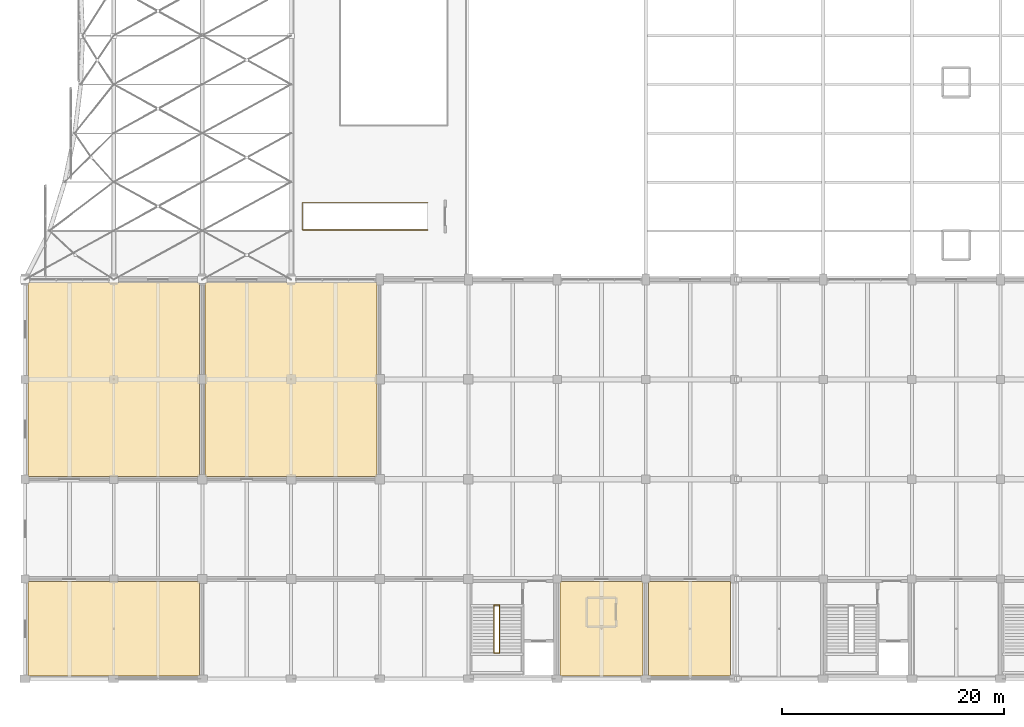
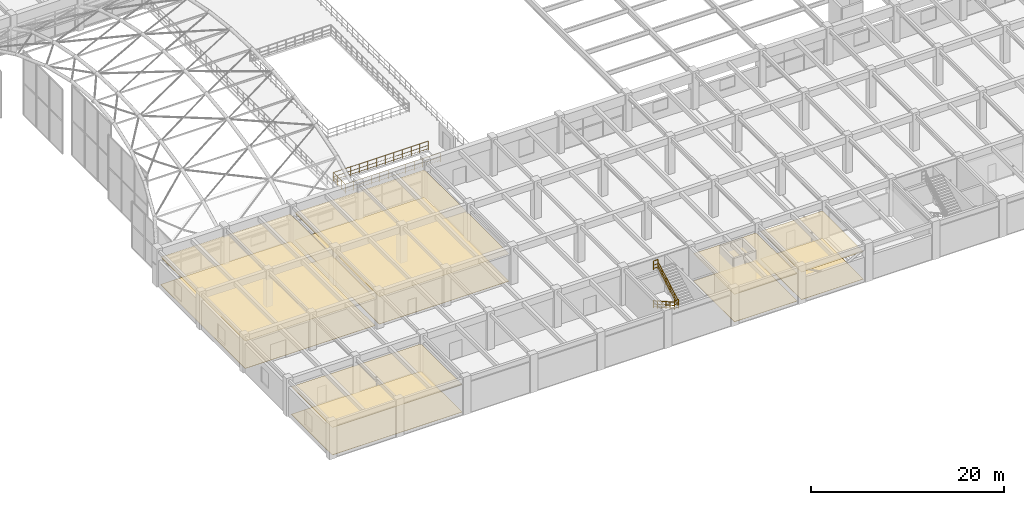
# One storey, part 135 of 144: 10 coverings, 5 railings.
"""IFC4 building model written with IfcOpenShell, lengths in metres."""

import ifcopenshell
import ifcopenshell.guid

model = None  # the IFC model being written
_history = None  # IfcOwnerHistory: only IFC2X3 demands one
_inside = {}  # id of a spatial element -> (the spatial element, [elements in it])
_under = {}  # id of a project, library or spatial element -> (it, [spatial elements below it])
_declared = {}  # id of a project -> (the project, [libraries it declares])
_typed = {}  # id of a type object -> (the type object, [elements of that type])
_made_of = {}  # id of a material, layer set ... -> (it, [elements and type objects made of it])


def new_model(schema):
    """Start an empty IFC model of exactly this schema.

    Asked for "IFC4X3", IfcOpenShell would pick the latest addendum, in which some entities
    have other attributes; the version numbers below select the first issue.
    IFC2X3 requires an IfcOwnerHistory on every rooted entity: one is made here for all.
    """
    global model, _history
    if schema == "IFC4X3":
        model = ifcopenshell.file(schema_version=(4, 3, 0, 0))
    else:
        model = ifcopenshell.file(schema=schema)
    _inside.clear()
    _under.clear()
    _declared.clear()
    _typed.clear()
    _made_of.clear()
    _history = None
    if model.schema == "IFC2X3":
        org = make("IfcOrganization", Name="unknown")
        user = make(
            "IfcPersonAndOrganization",
            ThePerson=make("IfcPerson", FamilyName="unknown"),
            TheOrganization=org,
        )
        app = make(
            "IfcApplication",
            ApplicationDeveloper=org,
            Version="unknown",
            ApplicationFullName="unknown",
            ApplicationIdentifier="unknown",
        )
        _history = make(
            "IfcOwnerHistory",
            OwningUser=user,
            OwningApplication=app,
            ChangeAction="ADDED",
            CreationDate=0,
        )
    return model


def make(cls, **values):
    """One entity of the class cls with the attributes given. An attribute that is None is left unset."""
    return model.create_entity(
        cls, **{name: value for name, value in values.items() if value is not None}
    )


def rooted(cls, **values):
    """An entity with a GlobalId (a new one), such as an element, a storey or a relation."""
    return make(cls, GlobalId=ifcopenshell.guid.new(), OwnerHistory=_history, **values)


def si_unit(unit_type, name, prefix=None):
    """IfcSIUnit, for example si_unit("LENGTHUNIT", "METRE", prefix="MILLI")."""
    return make("IfcSIUnit", UnitType=unit_type, Prefix=prefix, Name=name)


def assignment(units):
    """IfcUnitAssignment: the units of a project."""
    return None if units is None else make("IfcUnitAssignment", Units=units)


def point(xyz):
    """IfcCartesianPoint."""
    return None if xyz is None else make("IfcCartesianPoint", Coordinates=xyz)


def direction(xyz):
    """IfcDirection."""
    return None if xyz is None else make("IfcDirection", DirectionRatios=xyz)


def frame(location, z_axis=None, x_axis=None):
    """IfcAxis2Placement3D, a coordinate frame: its origin and axes. An axis left out is left unset."""
    return make(
        "IfcAxis2Placement3D",
        Location=point(location),
        Axis=direction(z_axis),
        RefDirection=direction(x_axis),
    )


def frame_2d(location, x_axis=None):
    """IfcAxis2Placement2D, a coordinate frame in the plane: its origin and x axis."""
    return make(
        "IfcAxis2Placement2D", Location=point(location), RefDirection=direction(x_axis)
    )


def origin():
    """The frame at (0, 0, 0) with its axes left unset."""
    return frame((0.0, 0.0, 0.0))


def origin_2d():
    """The frame at (0, 0) in the plane with its x axis left unset."""
    return frame_2d((0.0, 0.0))


def place(relative_to, where):
    """IfcLocalPlacement: puts the frame where relative to a parent placement (None: the world)."""
    return make(
        "IfcLocalPlacement", PlacementRelTo=relative_to, RelativePlacement=where
    )


def context(
    kind, dimensions, precision=None, world=None, true_north=None, identifier=None
):
    """IfcGeometricRepresentationContext, for example the 3D "Model" context."""
    return make(
        "IfcGeometricRepresentationContext",
        ContextIdentifier=identifier,
        ContextType=kind,
        CoordinateSpaceDimension=dimensions,
        Precision=precision,
        WorldCoordinateSystem=world,
        TrueNorth=true_north,
    )


def subcontext(parent, identifier, kind, view, scale=None):
    """IfcGeometricRepresentationSubContext, for example "Body" below "Model"."""
    return make(
        "IfcGeometricRepresentationSubContext",
        ContextIdentifier=identifier,
        ContextType=kind,
        ParentContext=parent,
        TargetScale=scale,
        TargetView=view,
    )


def project(units=None, contexts=None):
    """IfcProject with its units and contexts."""
    return rooted(
        "IfcProject",
        Name="project",
        RepresentationContexts=contexts,
        UnitsInContext=assignment(units),
    )


def spatial(cls, under=None, at=None, **own):
    """A site, building, storey or space (cls), placed at a placement, below another one or the project."""
    s = rooted(cls, ObjectPlacement=at, **own)
    if under is not None:
        _under.setdefault(under.id(), (under, []))[1].append(s)
    return s


def polyline(points):
    """IfcPolyline through the points."""
    return make("IfcPolyline", Points=[point(p) for p in points])


def profile(cls, at=None, kind="AREA", **sizes):
    """A parametric profile (cls). Its sizes go by their IFC names, for example OverallWidth=200.0."""
    return make(cls, ProfileType=kind, Position=at, **sizes)


def circle(**sizes):
    """IfcCircleProfileDef."""
    return profile("IfcCircleProfileDef", **sizes)


def outline(outer, holes=None, kind="AREA"):
    """IfcArbitraryClosedProfileDef: a profile drawn as a closed curve; with holes, ...WithVoids."""
    if holes is None:
        return make("IfcArbitraryClosedProfileDef", ProfileType=kind, OuterCurve=outer)
    return make(
        "IfcArbitraryProfileDefWithVoids",
        ProfileType=kind,
        OuterCurve=outer,
        InnerCurves=holes,
    )


def extrude(swept, where, along, depth):
    """IfcExtrudedAreaSolid: the profile swept, set in the frame where, extruded along a direction by depth."""
    return make(
        "IfcExtrudedAreaSolid",
        SweptArea=swept,
        Position=where,
        ExtrudedDirection=direction(along),
        Depth=depth,
    )


def shape(context_of_items, identifier, shape_type, items):
    """IfcShapeRepresentation: the items that make up one representation, for example the "Body"."""
    return make(
        "IfcShapeRepresentation",
        ContextOfItems=context_of_items,
        RepresentationIdentifier=identifier,
        RepresentationType=shape_type,
        Items=items,
    )


def material(Name=None, Category=None):
    """IfcMaterial."""
    return make("IfcMaterial", Name=Name, Category=Category)


def layer(
    of_material, thickness, ventilated=None, Name=None, Category=None, Priority=None
):
    """IfcMaterialLayer: one layer of a wall or slab, of a material (None: an air gap)."""
    return make(
        "IfcMaterialLayer",
        Material=of_material,
        LayerThickness=thickness,
        IsVentilated=ventilated,
        Name=Name,
        Category=Category,
        Priority=Priority,
    )


def layer_set(layers, Name=None):
    """IfcMaterialLayerSet."""
    return make("IfcMaterialLayerSet", MaterialLayers=layers, LayerSetName=Name)


def made_of(thing, what):
    """Note that an element or type object is made of a material, layer set ...; save() writes the relation."""
    if what is not None:
        _made_of.setdefault(what.id(), (what, []))[1].append(thing)
    return thing


def type_object(cls, material=None, **own):
    """A type object (cls), such as IfcWallType, which elements share."""
    return made_of(rooted(cls, **own), material)


def element(
    cls,
    number,
    at=None,
    inside=None,
    cuts=None,
    type_object=None,
    material=None,
    context=None,
    identifier="Body",
    shape_type=None,
    held_by="IfcProductDefinitionShape",
    body=None,
    shapes=None,
    **own,
):
    """One element of the class cls, such as IfcWall. Its Tag is "e" and its number.

    at: its placement. inside: the storey or other place that contains it. cuts: it is an
    opening in that element (IfcRelVoidsElement). A single representation is given by context,
    identifier, shape_type and body (its items); several are given by shapes. held_by: the class
    of the entity that holds the representations. save() writes the other relations.
    """
    e = rooted(cls, Tag="e%d" % number, ObjectPlacement=at, **own)
    if body is not None:
        shapes = [shape(context, identifier, shape_type, body)]
    if shapes is not None:
        e.Representation = make(held_by, Representations=shapes)
    if inside is not None:
        _inside.setdefault(inside.id(), (inside, []))[1].append(e)
    if cuts is not None:
        rooted(
            "IfcRelVoidsElement", RelatingBuildingElement=cuts, RelatedOpeningElement=e
        )
    if type_object is not None:
        _typed.setdefault(type_object.id(), (type_object, []))[1].append(e)
    return made_of(e, material)


def aggregate(whole, parts):
    """IfcRelAggregates: a whole, such as a stair, and the parts it consists of."""
    return rooted("IfcRelAggregates", RelatingObject=whole, RelatedObjects=parts)


def save(model, path):
    """Write the relations noted so far, then the file.

    IfcRelAggregates (storeys below a building ...), IfcRelContainedInSpatialStructure (elements
    in a storey), IfcRelDefinesByType, IfcRelAssociatesMaterial and IfcRelDeclares: one each for
    every whole, place, type object, material and project.
    """
    for whole, parts in _under.values():
        aggregate(whole, parts)
    for where, things in _inside.values():
        rooted(
            "IfcRelContainedInSpatialStructure",
            RelatedElements=things,
            RelatingStructure=where,
        )
    for kind, things in _typed.values():
        rooted("IfcRelDefinesByType", RelatedObjects=things, RelatingType=kind)
    for what, things in _made_of.values():
        rooted("IfcRelAssociatesMaterial", RelatedObjects=things, RelatingMaterial=what)
    for by, libraries in _declared.values():
        rooted("IfcRelDeclares", RelatingContext=by, RelatedDefinitions=libraries)
    model.write(path)


model = new_model("IFC4")

# Units and contexts
model_context = context("Model", 3, precision=1e-05, world=origin(), true_north=direction((0.0, 1.0)))
body_context = subcontext(model_context, "Body", "Model", "MODEL_VIEW")
ifc_project = project(units=[si_unit("LENGTHUNIT", "METRE"), si_unit("AREAUNIT", "SQUARE_METRE"), si_unit("VOLUMEUNIT", "CUBIC_METRE"), si_unit("PLANEANGLEUNIT", "RADIAN"), si_unit("MASSUNIT", "GRAM", prefix="KILO")], contexts=[model_context])

# Site, building, storey
site_placement = place(None, origin())
site = spatial("IfcSite", under=ifc_project, at=site_placement, CompositionType="ELEMENT")
building_placement = place(site_placement, origin())
building = spatial("IfcBuilding", under=site, at=building_placement, Name="Varnabhumi Central Station", CompositionType="ELEMENT")
storey_placement = place(building_placement, frame((0.0, 0.0, 4.800048828125)))
storey = spatial("IfcBuildingStorey", under=building, at=storey_placement, Name="L01", CompositionType="ELEMENT", Elevation=4.800048828125)

# Coverings
ifc_material_1 = material(Name="Mineral-fibre acoustic tile")
ifc_layer_1 = layer(ifc_material_1, 0.02490234375, Name="Mineral-fibre acoustic tile")
ifc_layer_set_1 = layer_set([ifc_layer_1], Name="Mineral-fibre acoustic tile")
covering_type_1 = type_object("IfcCoveringType", Name="COV-CEIL-ACOUSTIC", PredefinedType="CEILING", material=ifc_layer_set_1)
covering_1_placement = place(storey_placement, frame((0.0, 0.0, 3.469970703125)))
element("IfcCovering", 1, at=covering_1_placement, inside=storey, type_object=covering_type_1, Name="Forecourt Overlook Transit Lounge Acoustic Ceiling", PredefinedType="CEILING", context=body_context, shape_type="SweptSolid", body=[
    extrude(outline(polyline([(0.25, 18.25), (15.75, 18.25), (15.75, 35.75), (0.25, 35.75), (0.25, 18.25)])), origin(), (0.0, 0.0, 1.0), 0.02490234375),
])
covering_2_placement = place(storey_placement, frame((0.0, 0.0, 3.469970703125)))
element("IfcCovering", 2, at=covering_2_placement, inside=storey, type_object=covering_type_1, Name="Station Signage and Maintenance Store Acoustic Ceiling", PredefinedType="CEILING", context=body_context, shape_type="SweptSolid", body=[
    extrude(outline(polyline([(0.25, 0.25), (15.75, 0.25), (15.75, 8.75), (0.25, 8.75), (0.25, 0.25)])), origin(), (0.0, 0.0, 1.0), 0.02490234375),
])
covering_3_placement = place(storey_placement, frame((0.0, 0.0, 3.469970703125)))
element("IfcCovering", 3, at=covering_3_placement, inside=storey, type_object=covering_type_1, Name="Booking Accounts and Cash Office Acoustic Ceiling", PredefinedType="CEILING", context=body_context, shape_type="SweptSolid", body=[
    extrude(outline(polyline([(16.25, 18.25), (31.75, 18.25), (31.75, 35.75), (16.25, 35.75), (16.25, 18.25)])), origin(), (0.0, 0.0, 1.0), 0.02490234375),
])
covering_4_placement = place(storey_placement, frame((0.0, 0.0, 3.469970703125)))
element("IfcCovering", 4, at=covering_4_placement, inside=storey, type_object=covering_type_1, Name="Ticketing Network Server Room Acoustic Ceiling", PredefinedType="CEILING", context=body_context, shape_type="SweptSolid", body=[
    extrude(outline(polyline([(48.25, 0.25), (55.75, 0.25), (55.75, 8.75), (48.25, 8.75), (48.25, 0.25)])), origin(), (0.0, 0.0, 1.0), 0.02490234375),
])
covering_5_placement = place(storey_placement, frame((0.0, 0.0, 3.469970703125)))
element("IfcCovering", 5, at=covering_5_placement, inside=storey, type_object=covering_type_1, Name="Parcel Dispatch Records Office Acoustic Ceiling", PredefinedType="CEILING", context=body_context, shape_type="SweptSolid", body=[
    extrude(outline(polyline([(56.25, 0.25), (63.64990234375, 0.25), (63.64990234375, 8.75), (56.25, 8.75), (56.25, 0.25)])), origin(), (0.0, 0.0, 1.0), 0.02490234375),
])
ifc_material_2 = material(Name="Vitrified granite stone flooring", Category="masonry")
ifc_layer_2 = layer(ifc_material_2, 0.030029296875, Name="Vitrified granite stone flooring", Category="masonry")
ifc_layer_set_2 = layer_set([ifc_layer_2], Name="Vitrified granite stone flooring")
covering_type_2 = type_object("IfcCoveringType", Name="COV-FLOR-GRANITE", PredefinedType="FLOORING", material=ifc_layer_set_2)
covering_6_placement = place(storey_placement, origin())
element("IfcCovering", 6, at=covering_6_placement, inside=storey, type_object=covering_type_2, Name="Forecourt Overlook Transit Lounge Granite Flooring", PredefinedType="FLOORING", context=body_context, shape_type="SweptSolid", body=[
    extrude(outline(polyline([(0.25, 18.25), (15.75, 18.25), (15.75, 35.75), (0.25, 35.75), (0.25, 18.25)])), origin(), (0.0, 0.0, 1.0), 0.030029296875),
])
covering_7_placement = place(storey_placement, origin())
element("IfcCovering", 7, at=covering_7_placement, inside=storey, type_object=covering_type_2, Name="Station Signage and Maintenance Store Granite Flooring", PredefinedType="FLOORING", context=body_context, shape_type="SweptSolid", body=[
    extrude(outline(polyline([(0.25, 0.25), (15.75, 0.25), (15.75, 8.75), (0.25, 8.75), (0.25, 0.25)])), origin(), (0.0, 0.0, 1.0), 0.030029296875),
])
covering_8_placement = place(storey_placement, origin())
element("IfcCovering", 8, at=covering_8_placement, inside=storey, type_object=covering_type_2, Name="Booking Accounts and Cash Office Granite Flooring", PredefinedType="FLOORING", context=body_context, shape_type="SweptSolid", body=[
    extrude(outline(polyline([(16.25, 18.25), (31.75, 18.25), (31.75, 35.75), (16.25, 35.75), (16.25, 18.25)])), origin(), (0.0, 0.0, 1.0), 0.030029296875),
])
covering_9_placement = place(storey_placement, origin())
element("IfcCovering", 9, at=covering_9_placement, inside=storey, type_object=covering_type_2, Name="Ticketing Network Server Room Granite Flooring", PredefinedType="FLOORING", context=body_context, shape_type="SweptSolid", body=[
    extrude(outline(polyline([(48.25, 0.25), (55.75, 0.25), (55.75, 8.75), (48.25, 8.75), (48.25, 0.25)])), origin(), (0.0, 0.0, 1.0), 0.030029296875),
])
covering_10_placement = place(storey_placement, origin())
element("IfcCovering", 10, at=covering_10_placement, inside=storey, type_object=covering_type_2, Name="Parcel Dispatch Records Office Granite Flooring", PredefinedType="FLOORING", context=body_context, shape_type="SweptSolid", body=[
    extrude(outline(polyline([(56.25, 0.25), (63.64990234375, 0.25), (63.64990234375, 8.75), (56.25, 8.75), (56.25, 0.25)])), origin(), (0.0, 0.0, 1.0), 0.030029296875),
])

# Railings
ifc_material_3 = material(Name="Stainless steel Grade 316", Category="steel")
railing_type_1 = type_object("IfcRailingType", Name="RAIL-STAIR-GRD-1150", PredefinedType="GUARDRAIL", material=ifc_material_3)
for number, where, name in (
    (11, (42.300048828125, 2.324951171875, 2.39990234375), "ST-S1 L01 Half-Landing Well Guard"),
    (12, (42.300048828125, 6.639892578125, 4.800048828125), "ST-S1 L01 Arrival Slot Guard"),
):
    element("IfcRailing", number, at=place(storey_placement, frame(where)), inside=storey, type_object=railing_type_1, Name=name, PredefinedType="GUARDRAIL", context=body_context, shape_type="SweptSolid", body=[
        extrude(circle(Radius=0.02392578125, at=origin_2d()), frame((0.0, 0.0, 1.1259765625), z_axis=(1.0, 0.0, 0.0), x_axis=(0.0, 1.0, 0.0)), (0.0, 0.0, 1.0), 0.5),
        extrude(circle(Radius=0.01416015625, at=origin_2d()), frame((0.0, 0.0, 0.597900390625), z_axis=(1.0, 0.0, 0.0), x_axis=(0.0, 1.0, 0.0)), (0.0, 0.0, 1.0), 0.5),
        extrude(circle(Radius=0.01416015625, at=origin_2d()), frame((0.0, 0.0, 0.18408203125), z_axis=(1.0, 0.0, 0.0), x_axis=(0.0, 1.0, 0.0)), (0.0, 0.0, 1.0), 0.5),
        extrude(circle(Radius=0.02099609375, at=origin_2d()), origin(), (0.0, 0.0, 1.0), 1.101806640625),
        extrude(circle(Radius=0.02099609375, at=origin_2d()), frame((0.5, 0.0, 0.0)), (0.0, 0.0, 1.0), 1.101806640625),
    ])
railing_1_placement = place(storey_placement, frame((36.35009765625, 40.47998046875, 0.0)))
element("IfcRailing", 13, at=railing_1_placement, inside=storey, type_object=railing_type_1, Name="L01 Mezzanine Stair Well Guard", PredefinedType="GUARDRAIL", context=body_context, shape_type="SweptSolid", body=[
    extrude(circle(Radius=0.02392578125, at=origin_2d()), frame((0.0, 0.0, 1.1259765625), z_axis=(-1.0, 0.0, 0.0), x_axis=(0.0, -1.0, 0.0)), (0.0, 0.0, 1.0), 11.330078125),
    extrude(circle(Radius=0.01416015625, at=origin_2d()), frame((0.0, 0.0, 0.597900390625), z_axis=(-1.0, 0.0, 0.0), x_axis=(0.0, -1.0, 0.0)), (0.0, 0.0, 1.0), 11.330078125),
    extrude(circle(Radius=0.01416015625, at=origin_2d()), frame((0.0, 0.0, 0.18408203125), z_axis=(-1.0, 0.0, 0.0), x_axis=(0.0, -1.0, 0.0)), (0.0, 0.0, 1.0), 11.330078125),
    extrude(circle(Radius=0.02392578125, at=origin_2d()), frame((-11.330078125, 0.0, 1.1259765625), z_axis=(0.0, 1.0, 0.0), x_axis=(-1.0, 0.0, 0.0)), (0.0, 0.0, 1.0), 2.43994140625),
    extrude(circle(Radius=0.01416015625, at=origin_2d()), frame((-11.330078125, 0.0, 0.597900390625), z_axis=(0.0, 1.0, 0.0), x_axis=(-1.0, 0.0, 0.0)), (0.0, 0.0, 1.0), 2.43994140625),
    extrude(circle(Radius=0.01416015625, at=origin_2d()), frame((-11.330078125, 0.0, 0.18408203125), z_axis=(0.0, 1.0, 0.0), x_axis=(-1.0, 0.0, 0.0)), (0.0, 0.0, 1.0), 2.43994140625),
    extrude(circle(Radius=0.02392578125, at=origin_2d()), frame((-11.330078125, 2.43994140625, 1.1259765625), z_axis=(1.0, 0.0, 0.0), x_axis=(0.0, 1.0, 0.0)), (0.0, 0.0, 1.0), 11.330078125),
    extrude(circle(Radius=0.01416015625, at=origin_2d()), frame((-11.330078125, 2.43994140625, 0.597900390625), z_axis=(1.0, 0.0, 0.0), x_axis=(0.0, 1.0, 0.0)), (0.0, 0.0, 1.0), 11.330078125),
    extrude(circle(Radius=0.01416015625, at=origin_2d()), frame((-11.330078125, 2.43994140625, 0.18408203125), z_axis=(1.0, 0.0, 0.0), x_axis=(0.0, 1.0, 0.0)), (0.0, 0.0, 1.0), 11.330078125),
    extrude(circle(Radius=0.02099609375, at=origin_2d()), origin(), (0.0, 0.0, 1.0), 1.101806640625),
    extrude(circle(Radius=0.02099609375, at=origin_2d()), frame((-1.030029296875, 0.0, 0.0)), (0.0, 0.0, 1.0), 1.101806640625),
    extrude(circle(Radius=0.02099609375, at=origin_2d()), frame((-2.06005859375, 0.0, 0.0)), (0.0, 0.0, 1.0), 1.101806640625),
    extrude(circle(Radius=0.02099609375, at=origin_2d()), frame((-3.090087890625, 0.0, 0.0)), (0.0, 0.0, 1.0), 1.101806640625),
    extrude(circle(Radius=0.02099609375, at=origin_2d()), frame((-4.1201171875, 0.0, 0.0)), (0.0, 0.0, 1.0), 1.101806640625),
    extrude(circle(Radius=0.02099609375, at=origin_2d()), frame((-5.150146484375, 0.0, 0.0)), (0.0, 0.0, 1.0), 1.101806640625),
    extrude(circle(Radius=0.02099609375, at=origin_2d()), frame((-6.179931640625, 0.0, 0.0)), (0.0, 0.0, 1.0), 1.101806640625),
    extrude(circle(Radius=0.02099609375, at=origin_2d()), frame((-7.2099609375, 0.0, 0.0)), (0.0, 0.0, 1.0), 1.101806640625),
    extrude(circle(Radius=0.02099609375, at=origin_2d()), frame((-8.239990234375, 0.0, 0.0)), (0.0, 0.0, 1.0), 1.101806640625),
    extrude(circle(Radius=0.02099609375, at=origin_2d()), frame((-9.27001953125, 0.0, 0.0)), (0.0, 0.0, 1.0), 1.101806640625),
    extrude(circle(Radius=0.02099609375, at=origin_2d()), frame((-10.300048828125, 0.0, 0.0)), (0.0, 0.0, 1.0), 1.101806640625),
    extrude(circle(Radius=0.02099609375, at=origin_2d()), frame((-11.330078125, 0.0, 0.0)), (0.0, 0.0, 1.0), 1.101806640625),
    extrude(circle(Radius=0.02099609375, at=origin_2d()), frame((-11.330078125, 0.813232421875, 0.0)), (0.0, 0.0, 1.0), 1.101806640625),
    extrude(circle(Radius=0.02099609375, at=origin_2d()), frame((-11.330078125, 1.626708984375, 0.0)), (0.0, 0.0, 1.0), 1.101806640625),
    extrude(circle(Radius=0.02099609375, at=origin_2d()), frame((-11.330078125, 2.43994140625, 0.0)), (0.0, 0.0, 1.0), 1.101806640625),
    extrude(circle(Radius=0.02099609375, at=origin_2d()), frame((-10.300048828125, 2.43994140625, 0.0)), (0.0, 0.0, 1.0), 1.101806640625),
    extrude(circle(Radius=0.02099609375, at=origin_2d()), frame((-9.27001953125, 2.43994140625, 0.0)), (0.0, 0.0, 1.0), 1.101806640625),
    extrude(circle(Radius=0.02099609375, at=origin_2d()), frame((-8.239990234375, 2.43994140625, 0.0)), (0.0, 0.0, 1.0), 1.101806640625),
    extrude(circle(Radius=0.02099609375, at=origin_2d()), frame((-7.2099609375, 2.43994140625, 0.0)), (0.0, 0.0, 1.0), 1.101806640625),
    extrude(circle(Radius=0.02099609375, at=origin_2d()), frame((-6.179931640625, 2.43994140625, 0.0)), (0.0, 0.0, 1.0), 1.101806640625),
    extrude(circle(Radius=0.02099609375, at=origin_2d()), frame((-5.150146484375, 2.43994140625, 0.0)), (0.0, 0.0, 1.0), 1.101806640625),
    extrude(circle(Radius=0.02099609375, at=origin_2d()), frame((-4.1201171875, 2.43994140625, 0.0)), (0.0, 0.0, 1.0), 1.101806640625),
    extrude(circle(Radius=0.02099609375, at=origin_2d()), frame((-3.090087890625, 2.43994140625, 0.0)), (0.0, 0.0, 1.0), 1.101806640625),
    extrude(circle(Radius=0.02099609375, at=origin_2d()), frame((-2.06005859375, 2.43994140625, 0.0)), (0.0, 0.0, 1.0), 1.101806640625),
    extrude(circle(Radius=0.02099609375, at=origin_2d()), frame((-1.030029296875, 2.43994140625, 0.0)), (0.0, 0.0, 1.0), 1.101806640625),
    extrude(circle(Radius=0.02099609375, at=origin_2d()), frame((0.0, 2.43994140625, 0.0)), (0.0, 0.0, 1.0), 1.101806640625),
])
railing_type_2 = type_object("IfcRailingType", Name="RAIL-STAIR-HR-920", PredefinedType="HANDRAIL", material=ifc_material_3)
railing_2_placement = place(storey_placement, frame((42.300048828125, 6.659912109375, 0.0)))
element("IfcRailing", 14, at=railing_2_placement, inside=storey, type_object=railing_type_2, Name="ST-S1 L01 Flight 1 Handrail", PredefinedType="HANDRAIL", context=body_context, shape_type="SweptSolid", body=[
    extrude(circle(Radius=0.02392578125, at=origin_2d()), frame((0.0, 0.0, 0.89599609375), z_axis=(0.0, -0.871987514779, 0.489528113665), x_axis=(1.0, 0.0, 0.0)), (0.0, 0.0, 1.0), 4.902587890625),
    extrude(circle(Radius=0.01416015625, at=origin_2d()), frame((0.0, 0.0, 0.478271484375), z_axis=(0.0, -0.871987514779, 0.489528113665), x_axis=(1.0, 0.0, 0.0)), (0.0, 0.0, 1.0), 4.902587890625),
    extrude(circle(Radius=0.01416015625, at=origin_2d()), frame((0.0, 0.0, 0.147216796875), z_axis=(0.0, -0.871987514779, 0.489528113665), x_axis=(1.0, 0.0, 0.0)), (0.0, 0.0, 1.0), 4.902587890625),
    extrude(circle(Radius=0.02099609375, at=origin_2d()), origin(), (0.0, 0.0, 1.0), 0.871826171875),
    extrude(circle(Radius=0.02099609375, at=origin_2d()), frame((0.0, -0.85498046875, 0.47998046875)), (0.0, 0.0, 1.0), 0.871826171875),
    extrude(circle(Radius=0.02099609375, at=origin_2d()), frame((0.0, -1.7099609375, 0.9599609375)), (0.0, 0.0, 1.0), 0.871826171875),
    extrude(circle(Radius=0.02099609375, at=origin_2d()), frame((0.0, -2.56494140625, 1.43994140625)), (0.0, 0.0, 1.0), 0.871826171875),
    extrude(circle(Radius=0.02099609375, at=origin_2d()), frame((0.0, -3.419921875, 1.919921875)), (0.0, 0.0, 1.0), 0.871826171875),
    extrude(circle(Radius=0.02099609375, at=origin_2d()), frame((0.0, -4.27490234375, 2.39990234375)), (0.0, 0.0, 1.0), 0.871826171875),
])
railing_3_placement = place(storey_placement, frame((42.800048828125, 2.385009765625, 2.39990234375)))
element("IfcRailing", 15, at=railing_3_placement, inside=storey, type_object=railing_type_2, Name="ST-S1 L01 Flight 2 Handrail", PredefinedType="HANDRAIL", context=body_context, shape_type="SweptSolid", body=[
    extrude(circle(Radius=0.02392578125, at=origin_2d()), frame((0.0, 0.0, 0.89599609375), z_axis=(0.0, 0.871966256983, 0.489565977864), x_axis=(-1.0, 0.0, 0.0)), (0.0, 0.0, 1.0), 4.902587890625),
    extrude(circle(Radius=0.01416015625, at=origin_2d()), frame((0.0, 0.0, 0.478271484375), z_axis=(0.0, 0.871966256983, 0.489565977864), x_axis=(-1.0, 0.0, 0.0)), (0.0, 0.0, 1.0), 4.902587890625),
    extrude(circle(Radius=0.01416015625, at=origin_2d()), frame((0.0, 0.0, 0.147216796875), z_axis=(0.0, 0.871966256983, 0.489565977864), x_axis=(-1.0, 0.0, 0.0)), (0.0, 0.0, 1.0), 4.902587890625),
    extrude(circle(Radius=0.02099609375, at=origin_2d()), origin(), (0.0, 0.0, 1.0), 0.871826171875),
    extrude(circle(Radius=0.02099609375, at=origin_2d()), frame((0.0, 0.85498046875, 0.47998046875)), (0.0, 0.0, 1.0), 0.871826171875),
    extrude(circle(Radius=0.02099609375, at=origin_2d()), frame((0.0, 1.7099609375, 0.9599609375)), (0.0, 0.0, 1.0), 0.871826171875),
    extrude(circle(Radius=0.02099609375, at=origin_2d()), frame((0.0, 2.56494140625, 1.440185546875)), (0.0, 0.0, 1.0), 0.871826171875),
    extrude(circle(Radius=0.02099609375, at=origin_2d()), frame((0.0, 3.419921875, 1.920166015625)), (0.0, 0.0, 1.0), 0.871826171875),
    extrude(circle(Radius=0.02099609375, at=origin_2d()), frame((0.0, 4.27490234375, 2.400146484375)), (0.0, 0.0, 1.0), 0.871826171875),
])

save(model, "model.ifc")
